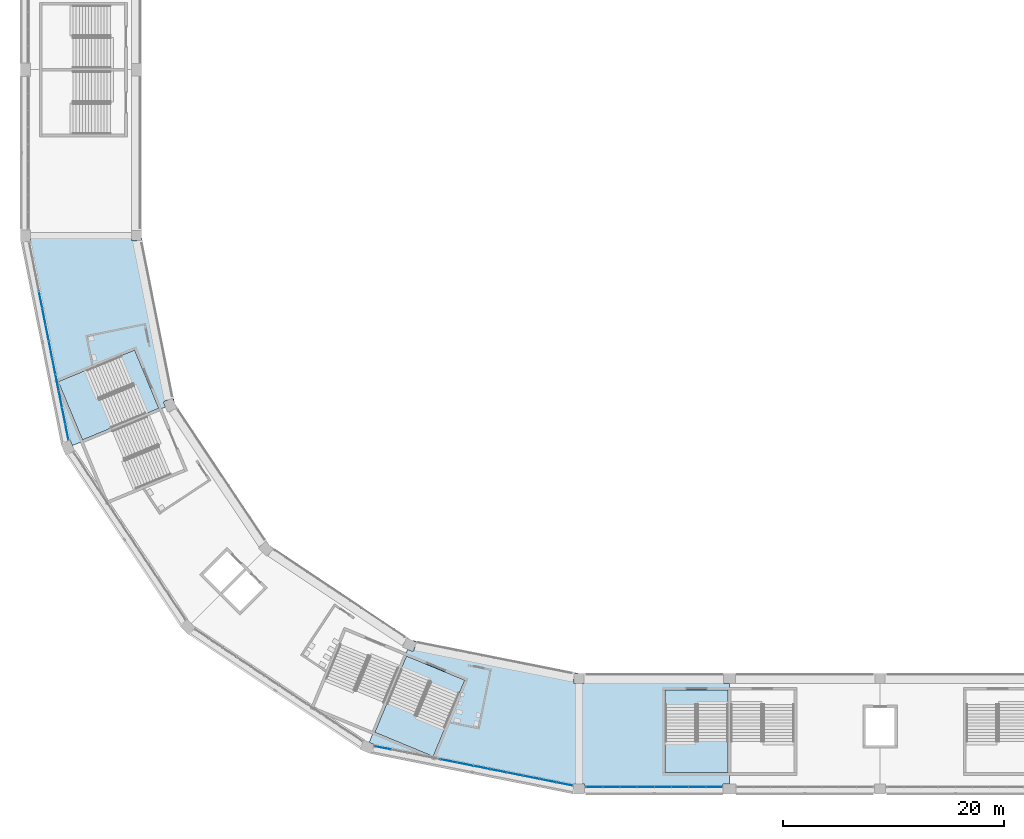
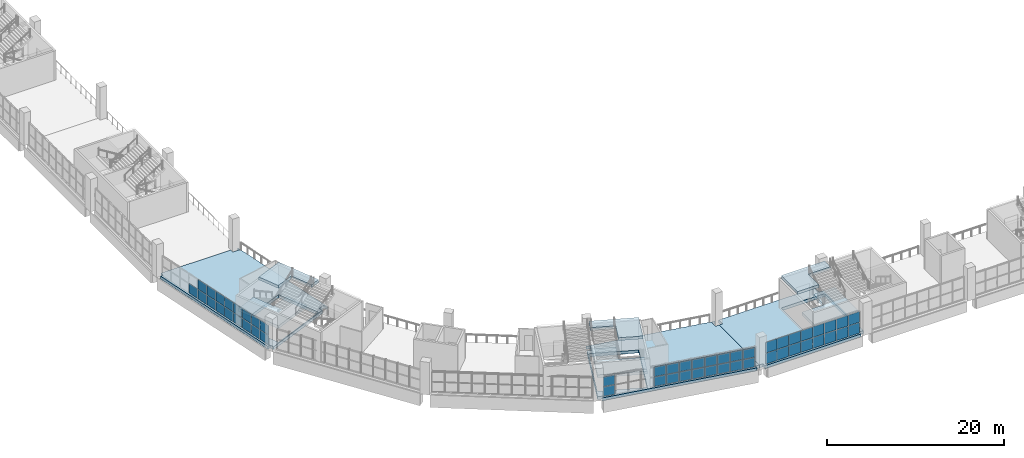
# One storey, part 44 of 177: 51 plates, 9 slabs, 6 elements without a shape of their own.
"""IFC4 building model written with IfcOpenShell, lengths in metres."""

from ifc_helpers import new_model, si_unit, direction, frame, origin, origin_2d, place, context, subcontext, project, spatial, polyline, rectangle, outline, extrude, material, layer, layer_set, type_object, element, aggregate, save


model = new_model("IFC4")

# Units and contexts
model_context = context("Model", 3, precision=1e-05, world=origin(), true_north=direction((0.0, 1.0)))
body_context = subcontext(model_context, "Body", "Model", "MODEL_VIEW")
ifc_project = project(units=[si_unit("LENGTHUNIT", "METRE"), si_unit("AREAUNIT", "SQUARE_METRE"), si_unit("VOLUMEUNIT", "CUBIC_METRE"), si_unit("PLANEANGLEUNIT", "RADIAN"), si_unit("MASSUNIT", "GRAM", prefix="KILO")], contexts=[model_context])

# Site, building, storey
site_placement = place(None, origin())
site = spatial("IfcSite", under=ifc_project, at=site_placement, CompositionType="ELEMENT")
building_placement = place(site_placement, origin())
building = spatial("IfcBuilding", under=site, at=building_placement, Name="Ogive Plaza Stadium", CompositionType="ELEMENT")
storey_placement = place(building_placement, frame((0.0, 0.0, 18.0)))
storey = spatial("IfcBuildingStorey", under=building, at=storey_placement, Name="L04", CompositionType="ELEMENT", Elevation=18.0)

# Curtain wall, plates
ifc_material_1 = material(Name="Bronze-anodised aluminium with laminated glass", Category="aluminium")
curtain_wall_type = type_object("IfcCurtainWallType", Name="Lancet curtain wall", PredefinedType="NOTDEFINED", material=ifc_material_1)
curtain_wall_1_placement = place(storey_placement, origin())
curtain_wall_1 = element("IfcCurtainWall", 1, at=curtain_wall_1_placement, inside=storey, type_object=curtain_wall_type, Name="CURTAIN WALL B16 L04", PredefinedType="NOTDEFINED")
ifc_material_2 = material(Name="Laminated glass", Category="glass")
ifc_layer_1 = layer(ifc_material_2, 0.028076171875)
ifc_layer_set_1 = layer_set([ifc_layer_1], Name="Laminated glass panel 28")
plate_type = type_object("IfcPlateType", Name="Laminated glass panel 28", PredefinedType="CURTAIN_PANEL", material=ifc_layer_set_1)
plate_1_placement = place(storey_placement, frame((-21.78759765625, -102.300048828125, 0.0498046875), z_axis=(0.0, 0.0, 1.0), x_axis=(-1.0, 0.0, 0.0)))
plate_1 = element("IfcPlate", 2, at=plate_1_placement, type_object=plate_type, Name="CW-B16-L04 panel 1.1", PredefinedType="CURTAIN_PANEL", context=body_context, shape_type="SweptSolid", body=[
    extrude(rectangle(XDim=1.47509765625, YDim=0.028076171875, at=origin_2d()), origin(), (0.0, 0.0, 1.0), 1.469970703125),
])
plate_2_placement = place(storey_placement, frame((-21.78759765625, -102.300048828125, 1.56982421875), z_axis=(0.0, 0.0, 1.0), x_axis=(-1.0, 0.0, 0.0)))
plate_2 = element("IfcPlate", 3, at=plate_2_placement, type_object=plate_type, Name="CW-B16-L04 panel 1.2", PredefinedType="CURTAIN_PANEL", context=body_context, shape_type="SweptSolid", body=[
    extrude(rectangle(XDim=1.47509765625, YDim=0.028076171875, at=origin_2d()), origin(), (0.0, 0.0, 1.0), 1.469970703125),
])
plate_3_placement = place(storey_placement, frame((-23.324951171875, -102.300048828125, 0.0498046875), z_axis=(0.0, 0.0, 1.0), x_axis=(-1.0, 0.0, 0.0)))
plate_3 = element("IfcPlate", 4, at=plate_3_placement, type_object=plate_type, Name="CW-B16-L04 panel 2.1", PredefinedType="CURTAIN_PANEL", context=body_context, shape_type="SweptSolid", body=[
    extrude(rectangle(XDim=1.5, YDim=0.028076171875, at=origin_2d()), origin(), (0.0, 0.0, 1.0), 1.469970703125),
])
plate_4_placement = place(storey_placement, frame((-23.324951171875, -102.300048828125, 1.56982421875), z_axis=(0.0, 0.0, 1.0), x_axis=(-1.0, 0.0, 0.0)))
plate_4 = element("IfcPlate", 5, at=plate_4_placement, type_object=plate_type, Name="CW-B16-L04 panel 2.2", PredefinedType="CURTAIN_PANEL", context=body_context, shape_type="SweptSolid", body=[
    extrude(rectangle(XDim=1.5, YDim=0.028076171875, at=origin_2d()), origin(), (0.0, 0.0, 1.0), 1.469970703125),
])
plate_5_placement = place(storey_placement, frame((-24.875, -102.300048828125, 0.0498046875), z_axis=(0.0, 0.0, 1.0), x_axis=(-1.0, 0.0, 0.0)))
plate_5 = element("IfcPlate", 6, at=plate_5_placement, type_object=plate_type, Name="CW-B16-L04 panel 3.1", PredefinedType="CURTAIN_PANEL", context=body_context, shape_type="SweptSolid", body=[
    extrude(rectangle(XDim=1.5, YDim=0.028076171875, at=origin_2d()), origin(), (0.0, 0.0, 1.0), 1.469970703125),
])
plate_6_placement = place(storey_placement, frame((-24.875, -102.300048828125, 1.56982421875), z_axis=(0.0, 0.0, 1.0), x_axis=(-1.0, 0.0, 0.0)))
plate_6 = element("IfcPlate", 7, at=plate_6_placement, type_object=plate_type, Name="CW-B16-L04 panel 3.2", PredefinedType="CURTAIN_PANEL", context=body_context, shape_type="SweptSolid", body=[
    extrude(rectangle(XDim=1.5, YDim=0.028076171875, at=origin_2d()), origin(), (0.0, 0.0, 1.0), 1.469970703125),
])
plate_7_placement = place(storey_placement, frame((-26.425048828125, -102.300048828125, 0.0498046875), z_axis=(0.0, 0.0, 1.0), x_axis=(-1.0, 0.0, 0.0)))
plate_7 = element("IfcPlate", 8, at=plate_7_placement, type_object=plate_type, Name="CW-B16-L04 panel 4.1", PredefinedType="CURTAIN_PANEL", context=body_context, shape_type="SweptSolid", body=[
    extrude(rectangle(XDim=1.5, YDim=0.028076171875, at=origin_2d()), origin(), (0.0, 0.0, 1.0), 1.469970703125),
])
plate_8_placement = place(storey_placement, frame((-26.425048828125, -102.300048828125, 1.56982421875), z_axis=(0.0, 0.0, 1.0), x_axis=(-1.0, 0.0, 0.0)))
plate_8 = element("IfcPlate", 9, at=plate_8_placement, type_object=plate_type, Name="CW-B16-L04 panel 4.2", PredefinedType="CURTAIN_PANEL", context=body_context, shape_type="SweptSolid", body=[
    extrude(rectangle(XDim=1.5, YDim=0.028076171875, at=origin_2d()), origin(), (0.0, 0.0, 1.0), 1.469970703125),
])
plate_9_placement = place(storey_placement, frame((-27.97509765625, -102.300048828125, 0.0498046875), z_axis=(0.0, 0.0, 1.0), x_axis=(-1.0, 0.0, 0.0)))
plate_9 = element("IfcPlate", 10, at=plate_9_placement, type_object=plate_type, Name="CW-B16-L04 panel 5.1", PredefinedType="CURTAIN_PANEL", context=body_context, shape_type="SweptSolid", body=[
    extrude(rectangle(XDim=1.5, YDim=0.028076171875, at=origin_2d()), origin(), (0.0, 0.0, 1.0), 1.469970703125),
])
plate_10_placement = place(storey_placement, frame((-27.97509765625, -102.300048828125, 1.56982421875), z_axis=(0.0, 0.0, 1.0), x_axis=(-1.0, 0.0, 0.0)))
plate_10 = element("IfcPlate", 11, at=plate_10_placement, type_object=plate_type, Name="CW-B16-L04 panel 5.2", PredefinedType="CURTAIN_PANEL", context=body_context, shape_type="SweptSolid", body=[
    extrude(rectangle(XDim=1.5, YDim=0.028076171875, at=origin_2d()), origin(), (0.0, 0.0, 1.0), 1.469970703125),
])
plate_11_placement = place(storey_placement, frame((-29.52490234375, -102.300048828125, 0.0498046875), z_axis=(0.0, 0.0, 1.0), x_axis=(-1.0, 0.0, 0.0)))
plate_11 = element("IfcPlate", 12, at=plate_11_placement, type_object=plate_type, Name="CW-B16-L04 panel 6.1", PredefinedType="CURTAIN_PANEL", context=body_context, shape_type="SweptSolid", body=[
    extrude(rectangle(XDim=1.5, YDim=0.028076171875, at=origin_2d()), origin(), (0.0, 0.0, 1.0), 1.469970703125),
])
plate_12_placement = place(storey_placement, frame((-29.52490234375, -102.300048828125, 1.56982421875), z_axis=(0.0, 0.0, 1.0), x_axis=(-1.0, 0.0, 0.0)))
plate_12 = element("IfcPlate", 13, at=plate_12_placement, type_object=plate_type, Name="CW-B16-L04 panel 6.2", PredefinedType="CURTAIN_PANEL", context=body_context, shape_type="SweptSolid", body=[
    extrude(rectangle(XDim=1.5, YDim=0.028076171875, at=origin_2d()), origin(), (0.0, 0.0, 1.0), 1.469970703125),
])
plate_13_placement = place(storey_placement, frame((-31.074951171875, -102.300048828125, 0.0498046875), z_axis=(0.0, 0.0, 1.0), x_axis=(-1.0, 0.0, 0.0)))
plate_13 = element("IfcPlate", 14, at=plate_13_placement, type_object=plate_type, Name="CW-B16-L04 panel 7.1", PredefinedType="CURTAIN_PANEL", context=body_context, shape_type="SweptSolid", body=[
    extrude(rectangle(XDim=1.5, YDim=0.028076171875, at=origin_2d()), origin(), (0.0, 0.0, 1.0), 1.469970703125),
])
plate_14_placement = place(storey_placement, frame((-31.074951171875, -102.300048828125, 1.56982421875), z_axis=(0.0, 0.0, 1.0), x_axis=(-1.0, 0.0, 0.0)))
plate_14 = element("IfcPlate", 15, at=plate_14_placement, type_object=plate_type, Name="CW-B16-L04 panel 7.2", PredefinedType="CURTAIN_PANEL", context=body_context, shape_type="SweptSolid", body=[
    extrude(rectangle(XDim=1.5, YDim=0.028076171875, at=origin_2d()), origin(), (0.0, 0.0, 1.0), 1.469970703125),
])
plate_15_placement = place(storey_placement, frame((-32.612548828125, -102.300048828125, 0.0498046875), z_axis=(0.0, 0.0, 1.0), x_axis=(-1.0, 0.0, 0.0)))
plate_15 = element("IfcPlate", 16, at=plate_15_placement, type_object=plate_type, Name="CW-B16-L04 panel 8.1", PredefinedType="CURTAIN_PANEL", context=body_context, shape_type="SweptSolid", body=[
    extrude(rectangle(XDim=1.47509765625, YDim=0.028076171875, at=origin_2d()), origin(), (0.0, 0.0, 1.0), 1.469970703125),
])
plate_16_placement = place(storey_placement, frame((-32.612548828125, -102.300048828125, 1.56982421875), z_axis=(0.0, 0.0, 1.0), x_axis=(-1.0, 0.0, 0.0)))
plate_16 = element("IfcPlate", 17, at=plate_16_placement, type_object=plate_type, Name="CW-B16-L04 panel 8.2", PredefinedType="CURTAIN_PANEL", context=body_context, shape_type="SweptSolid", body=[
    extrude(rectangle(XDim=1.47509765625, YDim=0.028076171875, at=origin_2d()), origin(), (0.0, 0.0, 1.0), 1.469970703125),
])
aggregate(curtain_wall_1, [plate_1, plate_2, plate_3, plate_4, plate_5, plate_6, plate_7, plate_8, plate_9, plate_10, plate_11, plate_12, plate_13, plate_14, plate_15, plate_16])

curtain_wall_2_placement = place(storey_placement, origin())
curtain_wall_2 = element("IfcCurtainWall", 18, at=curtain_wall_2_placement, inside=storey, type_object=curtain_wall_type, Name="CURTAIN WALL B17 L04", PredefinedType="NOTDEFINED")
plate_17_placement = place(storey_placement, frame((-35.328369140625, -102.031982421875, 0.0498046875), z_axis=(0.0, 0.0, 1.0), x_axis=(-0.9807852804, 0.195090322033, 0.0)))
plate_17 = element("IfcPlate", 19, at=plate_17_placement, type_object=plate_type, Name="CW-B17-L04 panel 1.1", PredefinedType="CURTAIN_PANEL", context=body_context, shape_type="SweptSolid", body=[
    extrude(rectangle(XDim=1.447265625, YDim=0.028076171875, at=origin_2d()), origin(), (0.0, 0.0, 1.0), 1.320068359375),
])
plate_18_placement = place(storey_placement, frame((-35.328369140625, -102.031982421875, 1.419921875), z_axis=(0.0, 0.0, 1.0), x_axis=(-0.9807852804, 0.195090322033, 0.0)))
plate_18 = element("IfcPlate", 20, at=plate_18_placement, type_object=plate_type, Name="CW-B17-L04 panel 1.2", PredefinedType="CURTAIN_PANEL", context=body_context, shape_type="SweptSolid", body=[
    extrude(rectangle(XDim=1.447265625, YDim=0.028076171875, at=origin_2d()), origin(), (0.0, 0.0, 1.0), 1.320068359375),
])
plate_19_placement = place(storey_placement, frame((-36.80908203125, -101.7373046875, 0.0498046875), z_axis=(0.0, 0.0, 1.0), x_axis=(-0.9807852804, 0.195090322033, 0.0)))
plate_19 = element("IfcPlate", 21, at=plate_19_placement, type_object=plate_type, Name="CW-B17-L04 panel 2.1", PredefinedType="CURTAIN_PANEL", context=body_context, shape_type="SweptSolid", body=[
    extrude(rectangle(XDim=1.472412109375, YDim=0.028076171875, at=origin_2d()), origin(), (0.0, 0.0, 1.0), 1.320068359375),
])
plate_20_placement = place(storey_placement, frame((-36.80908203125, -101.7373046875, 1.419921875), z_axis=(0.0, 0.0, 1.0), x_axis=(-0.9807852804, 0.195090322033, 0.0)))
plate_20 = element("IfcPlate", 22, at=plate_20_placement, type_object=plate_type, Name="CW-B17-L04 panel 2.2", PredefinedType="CURTAIN_PANEL", context=body_context, shape_type="SweptSolid", body=[
    extrude(rectangle(XDim=1.472412109375, YDim=0.028076171875, at=origin_2d()), origin(), (0.0, 0.0, 1.0), 1.320068359375),
])
plate_21_placement = place(storey_placement, frame((-38.30224609375, -101.4404296875, 0.0498046875), z_axis=(0.0, 0.0, 1.0), x_axis=(-0.9807852804, 0.195090322033, 0.0)))
plate_21 = element("IfcPlate", 23, at=plate_21_placement, type_object=plate_type, Name="CW-B17-L04 panel 3.1", PredefinedType="CURTAIN_PANEL", context=body_context, shape_type="SweptSolid", body=[
    extrude(rectangle(XDim=1.472412109375, YDim=0.028076171875, at=origin_2d()), origin(), (0.0, 0.0, 1.0), 1.320068359375),
])
plate_22_placement = place(storey_placement, frame((-38.30224609375, -101.4404296875, 1.419921875), z_axis=(0.0, 0.0, 1.0), x_axis=(-0.9807852804, 0.195090322033, 0.0)))
plate_22 = element("IfcPlate", 24, at=plate_22_placement, type_object=plate_type, Name="CW-B17-L04 panel 3.2", PredefinedType="CURTAIN_PANEL", context=body_context, shape_type="SweptSolid", body=[
    extrude(rectangle(XDim=1.472412109375, YDim=0.028076171875, at=origin_2d()), origin(), (0.0, 0.0, 1.0), 1.320068359375),
])
plate_23_placement = place(storey_placement, frame((-39.79541015625, -101.143310546875, 0.0498046875), z_axis=(0.0, 0.0, 1.0), x_axis=(-0.9807852804, 0.195090322033, 0.0)))
plate_23 = element("IfcPlate", 25, at=plate_23_placement, type_object=plate_type, Name="CW-B17-L04 panel 4.1", PredefinedType="CURTAIN_PANEL", context=body_context, shape_type="SweptSolid", body=[
    extrude(rectangle(XDim=1.472412109375, YDim=0.028076171875, at=origin_2d()), origin(), (0.0, 0.0, 1.0), 1.320068359375),
])
plate_24_placement = place(storey_placement, frame((-39.79541015625, -101.143310546875, 1.419921875), z_axis=(0.0, 0.0, 1.0), x_axis=(-0.9807852804, 0.195090322033, 0.0)))
plate_24 = element("IfcPlate", 26, at=plate_24_placement, type_object=plate_type, Name="CW-B17-L04 panel 4.2", PredefinedType="CURTAIN_PANEL", context=body_context, shape_type="SweptSolid", body=[
    extrude(rectangle(XDim=1.472412109375, YDim=0.028076171875, at=origin_2d()), origin(), (0.0, 0.0, 1.0), 1.320068359375),
])
plate_25_placement = place(storey_placement, frame((-41.288330078125, -100.846435546875, 0.0498046875), z_axis=(0.0, 0.0, 1.0), x_axis=(-0.9807852804, 0.195090322033, 0.0)))
plate_25 = element("IfcPlate", 27, at=plate_25_placement, type_object=plate_type, Name="CW-B17-L04 panel 5.1", PredefinedType="CURTAIN_PANEL", context=body_context, shape_type="SweptSolid", body=[
    extrude(rectangle(XDim=1.472412109375, YDim=0.028076171875, at=origin_2d()), origin(), (0.0, 0.0, 1.0), 1.320068359375),
])
plate_26_placement = place(storey_placement, frame((-41.288330078125, -100.846435546875, 1.419921875), z_axis=(0.0, 0.0, 1.0), x_axis=(-0.9807852804, 0.195090322033, 0.0)))
plate_26 = element("IfcPlate", 28, at=plate_26_placement, type_object=plate_type, Name="CW-B17-L04 panel 5.2", PredefinedType="CURTAIN_PANEL", context=body_context, shape_type="SweptSolid", body=[
    extrude(rectangle(XDim=1.472412109375, YDim=0.028076171875, at=origin_2d()), origin(), (0.0, 0.0, 1.0), 1.320068359375),
])
plate_27_placement = place(storey_placement, frame((-42.781494140625, -100.54931640625, 0.0498046875), z_axis=(0.0, 0.0, 1.0), x_axis=(-0.9807852804, 0.195090322033, 0.0)))
plate_27 = element("IfcPlate", 29, at=plate_27_placement, type_object=plate_type, Name="CW-B17-L04 panel 6.1", PredefinedType="CURTAIN_PANEL", context=body_context, shape_type="SweptSolid", body=[
    extrude(rectangle(XDim=1.472412109375, YDim=0.028076171875, at=origin_2d()), origin(), (0.0, 0.0, 1.0), 1.320068359375),
])
plate_28_placement = place(storey_placement, frame((-42.781494140625, -100.54931640625, 1.419921875), z_axis=(0.0, 0.0, 1.0), x_axis=(-0.9807852804, 0.195090322033, 0.0)))
plate_28 = element("IfcPlate", 30, at=plate_28_placement, type_object=plate_type, Name="CW-B17-L04 panel 6.2", PredefinedType="CURTAIN_PANEL", context=body_context, shape_type="SweptSolid", body=[
    extrude(rectangle(XDim=1.472412109375, YDim=0.028076171875, at=origin_2d()), origin(), (0.0, 0.0, 1.0), 1.320068359375),
])
plate_29_placement = place(storey_placement, frame((-44.274658203125, -100.25244140625, 0.0498046875), z_axis=(0.0, 0.0, 1.0), x_axis=(-0.9807852804, 0.195090322033, 0.0)))
plate_29 = element("IfcPlate", 31, at=plate_29_placement, type_object=plate_type, Name="CW-B17-L04 panel 7.1", PredefinedType="CURTAIN_PANEL", context=body_context, shape_type="SweptSolid", body=[
    extrude(rectangle(XDim=1.472412109375, YDim=0.028076171875, at=origin_2d()), origin(), (0.0, 0.0, 1.0), 1.320068359375),
])
plate_30_placement = place(storey_placement, frame((-44.274658203125, -100.25244140625, 1.419921875), z_axis=(0.0, 0.0, 1.0), x_axis=(-0.9807852804, 0.195090322033, 0.0)))
plate_30 = element("IfcPlate", 32, at=plate_30_placement, type_object=plate_type, Name="CW-B17-L04 panel 7.2", PredefinedType="CURTAIN_PANEL", context=body_context, shape_type="SweptSolid", body=[
    extrude(rectangle(XDim=1.472412109375, YDim=0.028076171875, at=origin_2d()), origin(), (0.0, 0.0, 1.0), 1.320068359375),
])
plate_31_placement = place(storey_placement, frame((-45.767822265625, -99.955322265625, 0.0498046875), z_axis=(0.0, 0.0, 1.0), x_axis=(-0.9807852804, 0.195090322033, 0.0)))
plate_31 = element("IfcPlate", 33, at=plate_31_placement, type_object=plate_type, Name="CW-B17-L04 panel 8.1", PredefinedType="CURTAIN_PANEL", context=body_context, shape_type="SweptSolid", body=[
    extrude(rectangle(XDim=1.472412109375, YDim=0.028076171875, at=origin_2d()), origin(), (0.0, 0.0, 1.0), 1.320068359375),
])
plate_32_placement = place(storey_placement, frame((-45.767822265625, -99.955322265625, 1.419921875), z_axis=(0.0, 0.0, 1.0), x_axis=(-0.9807852804, 0.195090322033, 0.0)))
plate_32 = element("IfcPlate", 34, at=plate_32_placement, type_object=plate_type, Name="CW-B17-L04 panel 8.2", PredefinedType="CURTAIN_PANEL", context=body_context, shape_type="SweptSolid", body=[
    extrude(rectangle(XDim=1.472412109375, YDim=0.028076171875, at=origin_2d()), origin(), (0.0, 0.0, 1.0), 1.320068359375),
])
plate_33_placement = place(storey_placement, frame((-51.727783203125, -98.769775390625, 0.0498046875), z_axis=(0.0, 0.0, 1.0), x_axis=(-0.9807852804, 0.195090322033, 0.0)))
plate_33 = element("IfcPlate", 35, at=plate_33_placement, type_object=plate_type, Name="CW-B17-L04 panel 12.1", PredefinedType="CURTAIN_PANEL", context=body_context, shape_type="SweptSolid", body=[
    extrude(rectangle(XDim=1.447265625, YDim=0.028076171875, at=origin_2d()), origin(), (0.0, 0.0, 1.0), 1.320068359375),
])
plate_34_placement = place(storey_placement, frame((-51.727783203125, -98.769775390625, 1.419921875), z_axis=(0.0, 0.0, 1.0), x_axis=(-0.9807852804, 0.195090322033, 0.0)))
plate_34 = element("IfcPlate", 36, at=plate_34_placement, type_object=plate_type, Name="CW-B17-L04 panel 12.2", PredefinedType="CURTAIN_PANEL", context=body_context, shape_type="SweptSolid", body=[
    extrude(rectangle(XDim=1.447265625, YDim=0.028076171875, at=origin_2d()), origin(), (0.0, 0.0, 1.0), 1.320068359375),
])
aggregate(curtain_wall_2, [plate_17, plate_18, plate_19, plate_20, plate_21, plate_22, plate_23, plate_24, plate_25, plate_26, plate_27, plate_28, plate_29, plate_30, plate_31, plate_32, plate_33, plate_34])

curtain_wall_3_placement = place(storey_placement, origin())
curtain_wall_3 = element("IfcCurtainWall", 37, at=curtain_wall_3_placement, inside=storey, type_object=curtain_wall_type, Name="CURTAIN WALL B20 L04", PredefinedType="NOTDEFINED")
plate_35_placement = place(storey_placement, frame((-80.269775390625, -70.227783203125, 0.0498046875), z_axis=(0.0, 0.0, 1.0), x_axis=(-0.195090322033, 0.9807852804, 0.0)))
plate_35 = element("IfcPlate", 38, at=plate_35_placement, type_object=plate_type, Name="CW-B20-L04 panel 1.1", PredefinedType="CURTAIN_PANEL", context=body_context, shape_type="SweptSolid", body=[
    extrude(rectangle(XDim=1.447265625, YDim=0.028076171875, at=origin_2d()), origin(), (0.0, 0.0, 1.0), 1.320068359375),
])
plate_36_placement = place(storey_placement, frame((-80.269775390625, -70.227783203125, 1.419921875), z_axis=(0.0, 0.0, 1.0), x_axis=(-0.195090322033, 0.9807852804, 0.0)))
plate_36 = element("IfcPlate", 39, at=plate_36_placement, type_object=plate_type, Name="CW-B20-L04 panel 1.2", PredefinedType="CURTAIN_PANEL", context=body_context, shape_type="SweptSolid", body=[
    extrude(rectangle(XDim=1.447265625, YDim=0.028076171875, at=origin_2d()), origin(), (0.0, 0.0, 1.0), 1.320068359375),
])
plate_37_placement = place(storey_placement, frame((-80.564453125, -68.7470703125, 0.0498046875), z_axis=(0.0, 0.0, 1.0), x_axis=(-0.195090322033, 0.9807852804, 0.0)))
plate_37 = element("IfcPlate", 40, at=plate_37_placement, type_object=plate_type, Name="CW-B20-L04 panel 2.1", PredefinedType="CURTAIN_PANEL", context=body_context, shape_type="SweptSolid", body=[
    extrude(rectangle(XDim=1.472412109375, YDim=0.028076171875, at=origin_2d()), origin(), (0.0, 0.0, 1.0), 1.320068359375),
])
plate_38_placement = place(storey_placement, frame((-80.564453125, -68.7470703125, 1.419921875), z_axis=(0.0, 0.0, 1.0), x_axis=(-0.195090322033, 0.9807852804, 0.0)))
plate_38 = element("IfcPlate", 41, at=plate_38_placement, type_object=plate_type, Name="CW-B20-L04 panel 2.2", PredefinedType="CURTAIN_PANEL", context=body_context, shape_type="SweptSolid", body=[
    extrude(rectangle(XDim=1.472412109375, YDim=0.028076171875, at=origin_2d()), origin(), (0.0, 0.0, 1.0), 1.320068359375),
])
plate_39_placement = place(storey_placement, frame((-80.861328125, -67.25390625, 0.0498046875), z_axis=(0.0, 0.0, 1.0), x_axis=(-0.195090322033, 0.9807852804, 0.0)))
plate_39 = element("IfcPlate", 42, at=plate_39_placement, type_object=plate_type, Name="CW-B20-L04 panel 3.1", PredefinedType="CURTAIN_PANEL", context=body_context, shape_type="SweptSolid", body=[
    extrude(rectangle(XDim=1.472412109375, YDim=0.028076171875, at=origin_2d()), origin(), (0.0, 0.0, 1.0), 1.320068359375),
])
plate_40_placement = place(storey_placement, frame((-80.861328125, -67.25390625, 1.419921875), z_axis=(0.0, 0.0, 1.0), x_axis=(-0.195090322033, 0.9807852804, 0.0)))
plate_40 = element("IfcPlate", 43, at=plate_40_placement, type_object=plate_type, Name="CW-B20-L04 panel 3.2", PredefinedType="CURTAIN_PANEL", context=body_context, shape_type="SweptSolid", body=[
    extrude(rectangle(XDim=1.472412109375, YDim=0.028076171875, at=origin_2d()), origin(), (0.0, 0.0, 1.0), 1.320068359375),
])
plate_41_placement = place(storey_placement, frame((-81.158447265625, -65.7607421875, 0.0498046875), z_axis=(0.0, 0.0, 1.0), x_axis=(-0.195090322033, 0.9807852804, 0.0)))
plate_41 = element("IfcPlate", 44, at=plate_41_placement, type_object=plate_type, Name="CW-B20-L04 panel 4.1", PredefinedType="CURTAIN_PANEL", context=body_context, shape_type="SweptSolid", body=[
    extrude(rectangle(XDim=1.472412109375, YDim=0.028076171875, at=origin_2d()), origin(), (0.0, 0.0, 1.0), 1.320068359375),
])
plate_42_placement = place(storey_placement, frame((-81.158447265625, -65.7607421875, 1.419921875), z_axis=(0.0, 0.0, 1.0), x_axis=(-0.195090322033, 0.9807852804, 0.0)))
plate_42 = element("IfcPlate", 45, at=plate_42_placement, type_object=plate_type, Name="CW-B20-L04 panel 4.2", PredefinedType="CURTAIN_PANEL", context=body_context, shape_type="SweptSolid", body=[
    extrude(rectangle(XDim=1.472412109375, YDim=0.028076171875, at=origin_2d()), origin(), (0.0, 0.0, 1.0), 1.320068359375),
])
plate_43_placement = place(storey_placement, frame((-81.455322265625, -64.267822265625, 0.0498046875), z_axis=(0.0, 0.0, 1.0), x_axis=(-0.195090322033, 0.9807852804, 0.0)))
plate_43 = element("IfcPlate", 46, at=plate_43_placement, type_object=plate_type, Name="CW-B20-L04 panel 5.1", PredefinedType="CURTAIN_PANEL", context=body_context, shape_type="SweptSolid", body=[
    extrude(rectangle(XDim=1.472412109375, YDim=0.028076171875, at=origin_2d()), origin(), (0.0, 0.0, 1.0), 1.320068359375),
])
plate_44_placement = place(storey_placement, frame((-81.455322265625, -64.267822265625, 1.419921875), z_axis=(0.0, 0.0, 1.0), x_axis=(-0.195090322033, 0.9807852804, 0.0)))
plate_44 = element("IfcPlate", 47, at=plate_44_placement, type_object=plate_type, Name="CW-B20-L04 panel 5.2", PredefinedType="CURTAIN_PANEL", context=body_context, shape_type="SweptSolid", body=[
    extrude(rectangle(XDim=1.472412109375, YDim=0.028076171875, at=origin_2d()), origin(), (0.0, 0.0, 1.0), 1.320068359375),
])
plate_45_placement = place(storey_placement, frame((-81.75244140625, -62.774658203125, 0.0498046875), z_axis=(0.0, 0.0, 1.0), x_axis=(-0.195090322033, 0.9807852804, 0.0)))
plate_45 = element("IfcPlate", 48, at=plate_45_placement, type_object=plate_type, Name="CW-B20-L04 panel 6.1", PredefinedType="CURTAIN_PANEL", context=body_context, shape_type="SweptSolid", body=[
    extrude(rectangle(XDim=1.472412109375, YDim=0.028076171875, at=origin_2d()), origin(), (0.0, 0.0, 1.0), 1.320068359375),
])
plate_46_placement = place(storey_placement, frame((-81.75244140625, -62.774658203125, 1.419921875), z_axis=(0.0, 0.0, 1.0), x_axis=(-0.195090322033, 0.9807852804, 0.0)))
plate_46 = element("IfcPlate", 49, at=plate_46_placement, type_object=plate_type, Name="CW-B20-L04 panel 6.2", PredefinedType="CURTAIN_PANEL", context=body_context, shape_type="SweptSolid", body=[
    extrude(rectangle(XDim=1.472412109375, YDim=0.028076171875, at=origin_2d()), origin(), (0.0, 0.0, 1.0), 1.320068359375),
])
plate_47_placement = place(storey_placement, frame((-82.04931640625, -61.281494140625, 0.0498046875), z_axis=(0.0, 0.0, 1.0), x_axis=(-0.195090322033, 0.9807852804, 0.0)))
plate_47 = element("IfcPlate", 50, at=plate_47_placement, type_object=plate_type, Name="CW-B20-L04 panel 7.1", PredefinedType="CURTAIN_PANEL", context=body_context, shape_type="SweptSolid", body=[
    extrude(rectangle(XDim=1.472412109375, YDim=0.028076171875, at=origin_2d()), origin(), (0.0, 0.0, 1.0), 1.320068359375),
])
plate_48_placement = place(storey_placement, frame((-82.04931640625, -61.281494140625, 1.419921875), z_axis=(0.0, 0.0, 1.0), x_axis=(-0.195090322033, 0.9807852804, 0.0)))
plate_48 = element("IfcPlate", 51, at=plate_48_placement, type_object=plate_type, Name="CW-B20-L04 panel 7.2", PredefinedType="CURTAIN_PANEL", context=body_context, shape_type="SweptSolid", body=[
    extrude(rectangle(XDim=1.472412109375, YDim=0.028076171875, at=origin_2d()), origin(), (0.0, 0.0, 1.0), 1.320068359375),
])
plate_49_placement = place(storey_placement, frame((-82.346435546875, -59.788330078125, 0.0498046875), z_axis=(0.0, 0.0, 1.0), x_axis=(-0.195090322033, 0.9807852804, 0.0)))
plate_49 = element("IfcPlate", 52, at=plate_49_placement, type_object=plate_type, Name="CW-B20-L04 panel 8.1", PredefinedType="CURTAIN_PANEL", context=body_context, shape_type="SweptSolid", body=[
    extrude(rectangle(XDim=1.472412109375, YDim=0.028076171875, at=origin_2d()), origin(), (0.0, 0.0, 1.0), 1.320068359375),
])
plate_50_placement = place(storey_placement, frame((-82.346435546875, -59.788330078125, 1.419921875), z_axis=(0.0, 0.0, 1.0), x_axis=(-0.195090322033, 0.9807852804, 0.0)))
plate_50 = element("IfcPlate", 53, at=plate_50_placement, type_object=plate_type, Name="CW-B20-L04 panel 8.2", PredefinedType="CURTAIN_PANEL", context=body_context, shape_type="SweptSolid", body=[
    extrude(rectangle(XDim=1.472412109375, YDim=0.028076171875, at=origin_2d()), origin(), (0.0, 0.0, 1.0), 1.320068359375),
])
plate_51_placement = place(storey_placement, frame((-82.643310546875, -58.29541015625, 0.0498046875), z_axis=(0.0, 0.0, 1.0), x_axis=(-0.195090322033, 0.9807852804, 0.0)))
plate_51 = element("IfcPlate", 54, at=plate_51_placement, type_object=plate_type, Name="CW-B20-L04 panel 9.1", PredefinedType="CURTAIN_PANEL", context=body_context, shape_type="SweptSolid", body=[
    extrude(rectangle(XDim=1.472412109375, YDim=0.028076171875, at=origin_2d()), origin(), (0.0, 0.0, 1.0), 1.320068359375),
])
aggregate(curtain_wall_3, [plate_35, plate_36, plate_37, plate_38, plate_39, plate_40, plate_41, plate_42, plate_43, plate_44, plate_45, plate_46, plate_47, plate_48, plate_49, plate_50, plate_51])

# Slabs
ifc_material_3 = material(Name="Concrete C40/50", Category="concrete")
ifc_layer_2 = layer(ifc_material_3, 0.409912109375)
ifc_layer_set_2 = layer_set([ifc_layer_2], Name="Concrete C40/50")
slab_type_1 = type_object("IfcSlabType", Name="RC floor slab 410", PredefinedType="FLOOR", material=ifc_layer_set_2)
slab_1_placement = place(storey_placement, frame((0.0, 0.0, -0.409912109375)))
element("IfcSlab", 55, at=slab_1_placement, inside=storey, type_object=slab_type_1, Name="Floor slab L04 B16", PredefinedType="FLOOR", context=body_context, shape_type="SweptSolid", body=[
    extrude(outline(polyline([(-34.0, -102.050048828125), (-33.5, -102.050048828125), (-33.5, -102.5), (-21.0, -102.5), (-21.0, -102.050048828125), (-20.39990234375, -102.050048828125), (-20.39990234375, -92.949951171875), (-20.949951171875, -92.949951171875), (-20.949951171875, -92.050048828125), (-33.550048828125, -92.050048828125), (-33.550048828125, -92.949951171875), (-34.0, -92.949951171875), (-34.0, -102.050048828125)]), holes=[polyline([(-20.52490234375, -93.550048828125), (-26.22509765625, -93.550048828125), (-26.22509765625, -101.010009765625), (-20.52490234375, -101.010009765625), (-20.52490234375, -93.550048828125)])]), origin(), (0.0, 0.0, 1.0), 0.409912109375),
])
slab_2_placement = place(storey_placement, frame((0.0, 0.0, -0.409912109375)))
element("IfcSlab", 56, at=slab_2_placement, inside=storey, type_object=slab_type_1, Name="Floor slab L04 B17", PredefinedType="FLOOR", context=body_context, shape_type="SweptSolid", body=[
    extrude(outline(polyline([(-52.9619140625, -98.2783203125), (-52.453857421875, -98.48876953125), (-52.584228515625, -98.803466796875), (-34.5, -102.400634765625), (-34.5, -102.050048828125), (-34.0, -102.050048828125), (-34.0, -92.949951171875), (-34.449951171875, -92.949951171875), (-34.449951171875, -92.050048828125), (-34.0, -92.050048828125), (-49.135009765625, -89.03955078125), (-48.673095703125, -89.230712890625), (-49.017578125, -90.062255859375), (-49.4794921875, -89.870849609375), (-52.9619140625, -98.2783203125)]), holes=[polyline([(-44.32763671875, -92.654296875), (-49.59375, -90.47314453125), (-52.448486328125, -97.365234375), (-47.182373046875, -99.546630859375), (-44.32763671875, -92.654296875)])]), origin(), (0.0, 0.0, 1.0), 0.409912109375),
])
slab_3_placement = place(storey_placement, frame((0.0, 0.0, -0.409912109375)))
element("IfcSlab", 57, at=slab_3_placement, inside=storey, type_object=slab_type_1, Name="Floor slab L04 B20", PredefinedType="FLOOR", context=body_context, shape_type="SweptSolid", body=[
    extrude(outline(polyline([(-83.550048828125, -52.5), (-83.550048828125, -53.0), (-83.900634765625, -53.0), (-80.303466796875, -71.084228515625), (-79.98876953125, -70.953857421875), (-79.7783203125, -71.4619140625), (-71.370849609375, -67.9794921875), (-71.562255859375, -67.517578125), (-70.730712890625, -67.173095703125), (-70.53955078125, -67.635009765625), (-73.550048828125, -52.5), (-73.550048828125, -52.949951171875), (-74.449951171875, -52.949951171875), (-74.449951171875, -52.5), (-83.550048828125, -52.5)]), holes=[polyline([(-71.97314453125, -68.09375), (-74.154296875, -62.82763671875), (-81.046630859375, -65.682373046875), (-78.865234375, -70.948486328125), (-71.97314453125, -68.09375)])]), origin(), (0.0, 0.0, 1.0), 0.409912109375),
])

# Stair, slabs
ifc_material_4 = material(Name="Concrete C40/50", Category="concrete")
stair_type = type_object("IfcStairType", Name="Exit stair", PredefinedType="STRAIGHT_RUN_STAIR", material=ifc_material_4)
stair_1_placement = place(storey_placement, origin())
stair_1 = element("IfcStair", 58, at=stair_1_placement, inside=storey, type_object=stair_type, Name="Exit stair ST16A L04 to L05", PredefinedType="STRAIGHT_RUN_STAIR")
ifc_material_5 = material(Name="Concrete C40/50", Category="concrete")
ifc_layer_3 = layer(ifc_material_5, 0.39990234375)
ifc_layer_set_3 = layer_set([ifc_layer_3], Name="Concrete C40/50")
slab_type_2 = type_object("IfcSlabType", Name="Stair landing", PredefinedType="LANDING", material=ifc_layer_set_3)
slab_4_placement = place(storey_placement, frame((0.0, 0.0, 1.85009765625)))
slab_4 = element("IfcSlab", 59, at=slab_4_placement, type_object=slab_type_2, Name="ST16A landing 1", PredefinedType="LANDING", context=body_context, shape_type="SweptSolid", body=[
    extrude(outline(polyline([(-20.52490234375, -101.010009765625), (-26.22509765625, -101.010009765625), (-26.22509765625, -98.2099609375), (-23.324951171875, -98.2099609375), (-23.324951171875, -95.81005859375), (-20.52490234375, -95.81005859375), (-20.52490234375, -98.2099609375), (-20.52490234375, -101.010009765625)])), origin(), (0.0, 0.0, 1.0), 0.39990234375),
])
slab_5_placement = place(storey_placement, frame((0.0, 0.0, 4.10009765625)))
slab_5 = element("IfcSlab", 60, at=slab_5_placement, type_object=slab_type_2, Name="ST16A landing 2", PredefinedType="LANDING", context=body_context, shape_type="SweptSolid", body=[
    extrude(outline(polyline([(-23.425048828125, -97.25), (-26.22509765625, -97.25), (-26.22509765625, -94.85009765625), (-26.22509765625, -93.550048828125), (-20.52490234375, -93.550048828125), (-20.52490234375, -94.85009765625), (-23.425048828125, -94.85009765625), (-23.425048828125, -97.25)])), origin(), (0.0, 0.0, 1.0), 0.39990234375),
])
aggregate(stair_1, [slab_4, slab_5])

stair_2_placement = place(storey_placement, origin())
stair_2 = element("IfcStair", 61, at=stair_2_placement, inside=storey, type_object=stair_type, Name="Exit stair ST18B L04 to L05", PredefinedType="STRAIGHT_RUN_STAIR")
slab_6_placement = place(storey_placement, frame((0.0, 0.0, 1.85009765625)))
slab_6 = element("IfcSlab", 62, at=slab_6_placement, type_object=slab_type_2, Name="ST18B landing 1", PredefinedType="LANDING", context=body_context, shape_type="SweptSolid", body=[
    extrude(outline(polyline([(-50.45849609375, -92.56103515625), (-47.87158203125, -93.632568359375), (-48.7900390625, -95.849853515625), (-46.11083984375, -96.959716796875), (-47.182373046875, -99.546630859375), (-52.448486328125, -97.365234375), (-51.376953125, -94.7783203125), (-50.45849609375, -92.56103515625)])), origin(), (0.0, 0.0, 1.0), 0.39990234375),
])
slab_7_placement = place(storey_placement, frame((0.0, 0.0, 4.10009765625)))
slab_7 = element("IfcSlab", 63, at=slab_7_placement, type_object=slab_type_2, Name="ST18B landing 2", PredefinedType="LANDING", context=body_context, shape_type="SweptSolid", body=[
    extrude(outline(polyline([(-50.091064453125, -91.674072265625), (-49.59375, -90.47314453125), (-44.32763671875, -92.654296875), (-44.824951171875, -93.85546875), (-45.743408203125, -96.07275390625), (-48.330322265625, -95.001220703125), (-47.411865234375, -92.783935546875), (-50.091064453125, -91.674072265625)])), origin(), (0.0, 0.0, 1.0), 0.39990234375),
])
aggregate(stair_2, [slab_6, slab_7])

stair_3_placement = place(storey_placement, origin())
stair_3 = element("IfcStair", 64, at=stair_3_placement, inside=storey, type_object=stair_type, Name="Exit stair ST20A L04 to L05", PredefinedType="STRAIGHT_RUN_STAIR")
slab_8_placement = place(storey_placement, frame((0.0, 0.0, 1.85009765625)))
slab_8 = element("IfcSlab", 65, at=slab_8_placement, type_object=slab_type_2, Name="ST20A landing 1", PredefinedType="LANDING", context=body_context, shape_type="SweptSolid", body=[
    extrude(outline(polyline([(-78.865234375, -70.948486328125), (-81.046630859375, -65.682373046875), (-78.459716796875, -64.61083984375), (-77.349853515625, -67.2900390625), (-75.132568359375, -66.37158203125), (-74.06103515625, -68.95849609375), (-76.2783203125, -69.876953125), (-78.865234375, -70.948486328125)])), origin(), (0.0, 0.0, 1.0), 0.39990234375),
])
slab_9_placement = place(storey_placement, frame((0.0, 0.0, 4.10009765625)))
slab_9 = element("IfcSlab", 66, at=slab_9_placement, type_object=slab_type_2, Name="ST20A landing 2", PredefinedType="LANDING", context=body_context, shape_type="SweptSolid", body=[
    extrude(outline(polyline([(-76.501220703125, -66.830322265625), (-77.57275390625, -64.243408203125), (-75.35546875, -63.324951171875), (-74.154296875, -62.82763671875), (-71.97314453125, -68.09375), (-73.174072265625, -68.591064453125), (-74.283935546875, -65.911865234375), (-76.501220703125, -66.830322265625)])), origin(), (0.0, 0.0, 1.0), 0.39990234375),
])
aggregate(stair_3, [slab_8, slab_9])

save(model, "model.ifc")
